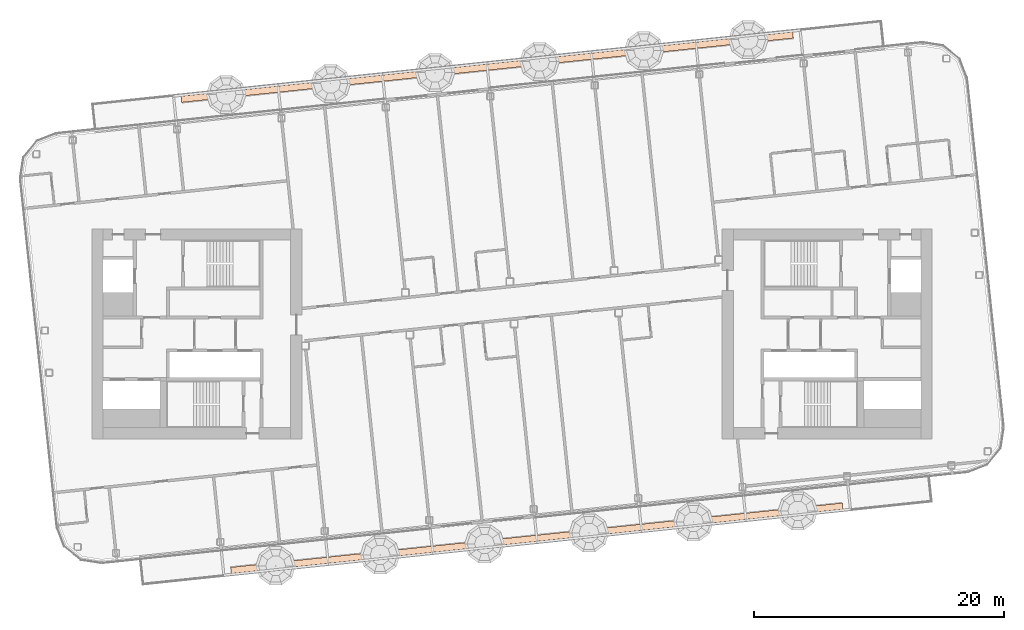
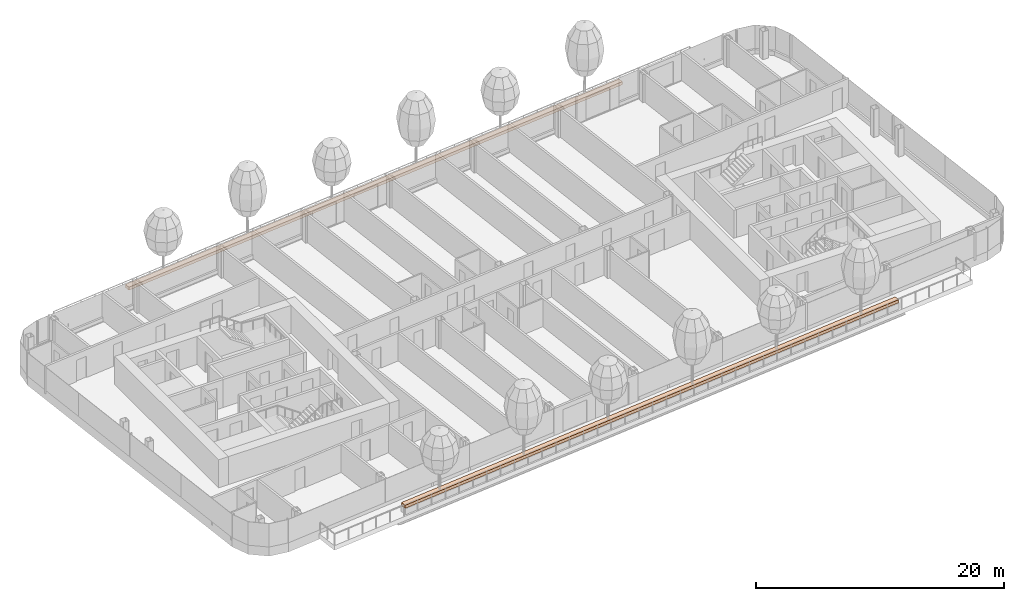
# One storey, part 27 of 29: 2 geographic elements.
"""IFC4 building model written with IfcOpenShell, lengths in metres."""

import ifcopenshell
import ifcopenshell.guid

model = None  # the IFC model being written
_history = None  # IfcOwnerHistory: only IFC2X3 demands one
_inside = {}  # id of a spatial element -> (the spatial element, [elements in it])
_under = {}  # id of a project, library or spatial element -> (it, [spatial elements below it])
_declared = {}  # id of a project -> (the project, [libraries it declares])
_typed = {}  # id of a type object -> (the type object, [elements of that type])
_made_of = {}  # id of a material, layer set ... -> (it, [elements and type objects made of it])


def new_model(schema):
    """Start an empty IFC model of exactly this schema.

    Asked for "IFC4X3", IfcOpenShell would pick the latest addendum, in which some entities
    have other attributes; the version numbers below select the first issue.
    IFC2X3 requires an IfcOwnerHistory on every rooted entity: one is made here for all.
    """
    global model, _history
    if schema == "IFC4X3":
        model = ifcopenshell.file(schema_version=(4, 3, 0, 0))
    else:
        model = ifcopenshell.file(schema=schema)
    _inside.clear()
    _under.clear()
    _declared.clear()
    _typed.clear()
    _made_of.clear()
    _history = None
    if model.schema == "IFC2X3":
        org = make("IfcOrganization", Name="unknown")
        user = make(
            "IfcPersonAndOrganization",
            ThePerson=make("IfcPerson", FamilyName="unknown"),
            TheOrganization=org,
        )
        app = make(
            "IfcApplication",
            ApplicationDeveloper=org,
            Version="unknown",
            ApplicationFullName="unknown",
            ApplicationIdentifier="unknown",
        )
        _history = make(
            "IfcOwnerHistory",
            OwningUser=user,
            OwningApplication=app,
            ChangeAction="ADDED",
            CreationDate=0,
        )
    return model


def make(cls, **values):
    """One entity of the class cls with the attributes given. An attribute that is None is left unset."""
    return model.create_entity(
        cls, **{name: value for name, value in values.items() if value is not None}
    )


def rooted(cls, **values):
    """An entity with a GlobalId (a new one), such as an element, a storey or a relation."""
    return make(cls, GlobalId=ifcopenshell.guid.new(), OwnerHistory=_history, **values)


def si_unit(unit_type, name, prefix=None):
    """IfcSIUnit, for example si_unit("LENGTHUNIT", "METRE", prefix="MILLI")."""
    return make("IfcSIUnit", UnitType=unit_type, Prefix=prefix, Name=name)


def assignment(units):
    """IfcUnitAssignment: the units of a project."""
    return None if units is None else make("IfcUnitAssignment", Units=units)


def point(xyz):
    """IfcCartesianPoint."""
    return None if xyz is None else make("IfcCartesianPoint", Coordinates=xyz)


def direction(xyz):
    """IfcDirection."""
    return None if xyz is None else make("IfcDirection", DirectionRatios=xyz)


def frame(location, z_axis=None, x_axis=None):
    """IfcAxis2Placement3D, a coordinate frame: its origin and axes. An axis left out is left unset."""
    return make(
        "IfcAxis2Placement3D",
        Location=point(location),
        Axis=direction(z_axis),
        RefDirection=direction(x_axis),
    )


def frame_2d(location, x_axis=None):
    """IfcAxis2Placement2D, a coordinate frame in the plane: its origin and x axis."""
    return make(
        "IfcAxis2Placement2D", Location=point(location), RefDirection=direction(x_axis)
    )


def origin():
    """The frame at (0, 0, 0) with its axes left unset."""
    return frame((0.0, 0.0, 0.0))


def origin_2d():
    """The frame at (0, 0) in the plane with its x axis left unset."""
    return frame_2d((0.0, 0.0))


def place(relative_to, where):
    """IfcLocalPlacement: puts the frame where relative to a parent placement (None: the world)."""
    return make(
        "IfcLocalPlacement", PlacementRelTo=relative_to, RelativePlacement=where
    )


def context(
    kind, dimensions, precision=None, world=None, true_north=None, identifier=None
):
    """IfcGeometricRepresentationContext, for example the 3D "Model" context."""
    return make(
        "IfcGeometricRepresentationContext",
        ContextIdentifier=identifier,
        ContextType=kind,
        CoordinateSpaceDimension=dimensions,
        Precision=precision,
        WorldCoordinateSystem=world,
        TrueNorth=true_north,
    )


def subcontext(parent, identifier, kind, view, scale=None):
    """IfcGeometricRepresentationSubContext, for example "Body" below "Model"."""
    return make(
        "IfcGeometricRepresentationSubContext",
        ContextIdentifier=identifier,
        ContextType=kind,
        ParentContext=parent,
        TargetScale=scale,
        TargetView=view,
    )


def project(units=None, contexts=None):
    """IfcProject with its units and contexts."""
    return rooted(
        "IfcProject",
        Name="project",
        RepresentationContexts=contexts,
        UnitsInContext=assignment(units),
    )


def spatial(cls, under=None, at=None, **own):
    """A site, building, storey or space (cls), placed at a placement, below another one or the project."""
    s = rooted(cls, ObjectPlacement=at, **own)
    if under is not None:
        _under.setdefault(under.id(), (under, []))[1].append(s)
    return s


def profile(cls, at=None, kind="AREA", **sizes):
    """A parametric profile (cls). Its sizes go by their IFC names, for example OverallWidth=200.0."""
    return make(cls, ProfileType=kind, Position=at, **sizes)


def rectangle(**sizes):
    """IfcRectangleProfileDef."""
    return profile("IfcRectangleProfileDef", **sizes)


def extrude(swept, where, along, depth):
    """IfcExtrudedAreaSolid: the profile swept, set in the frame where, extruded along a direction by depth."""
    return make(
        "IfcExtrudedAreaSolid",
        SweptArea=swept,
        Position=where,
        ExtrudedDirection=direction(along),
        Depth=depth,
    )


def shape(context_of_items, identifier, shape_type, items):
    """IfcShapeRepresentation: the items that make up one representation, for example the "Body"."""
    return make(
        "IfcShapeRepresentation",
        ContextOfItems=context_of_items,
        RepresentationIdentifier=identifier,
        RepresentationType=shape_type,
        Items=items,
    )


def material(Name=None, Category=None):
    """IfcMaterial."""
    return make("IfcMaterial", Name=Name, Category=Category)


def made_of(thing, what):
    """Note that an element or type object is made of a material, layer set ...; save() writes the relation."""
    if what is not None:
        _made_of.setdefault(what.id(), (what, []))[1].append(thing)
    return thing


def type_object(cls, material=None, **own):
    """A type object (cls), such as IfcWallType, which elements share."""
    return made_of(rooted(cls, **own), material)


def element(
    cls,
    number,
    at=None,
    inside=None,
    cuts=None,
    type_object=None,
    material=None,
    context=None,
    identifier="Body",
    shape_type=None,
    held_by="IfcProductDefinitionShape",
    body=None,
    shapes=None,
    **own,
):
    """One element of the class cls, such as IfcWall. Its Tag is "e" and its number.

    at: its placement. inside: the storey or other place that contains it. cuts: it is an
    opening in that element (IfcRelVoidsElement). A single representation is given by context,
    identifier, shape_type and body (its items); several are given by shapes. held_by: the class
    of the entity that holds the representations. save() writes the other relations.
    """
    e = rooted(cls, Tag="e%d" % number, ObjectPlacement=at, **own)
    if body is not None:
        shapes = [shape(context, identifier, shape_type, body)]
    if shapes is not None:
        e.Representation = make(held_by, Representations=shapes)
    if inside is not None:
        _inside.setdefault(inside.id(), (inside, []))[1].append(e)
    if cuts is not None:
        rooted(
            "IfcRelVoidsElement", RelatingBuildingElement=cuts, RelatedOpeningElement=e
        )
    if type_object is not None:
        _typed.setdefault(type_object.id(), (type_object, []))[1].append(e)
    return made_of(e, material)


def aggregate(whole, parts):
    """IfcRelAggregates: a whole, such as a stair, and the parts it consists of."""
    return rooted("IfcRelAggregates", RelatingObject=whole, RelatedObjects=parts)


def save(model, path):
    """Write the relations noted so far, then the file.

    IfcRelAggregates (storeys below a building ...), IfcRelContainedInSpatialStructure (elements
    in a storey), IfcRelDefinesByType, IfcRelAssociatesMaterial and IfcRelDeclares: one each for
    every whole, place, type object, material and project.
    """
    for whole, parts in _under.values():
        aggregate(whole, parts)
    for where, things in _inside.values():
        rooted(
            "IfcRelContainedInSpatialStructure",
            RelatedElements=things,
            RelatingStructure=where,
        )
    for kind, things in _typed.values():
        rooted("IfcRelDefinesByType", RelatedObjects=things, RelatingType=kind)
    for what, things in _made_of.values():
        rooted("IfcRelAssociatesMaterial", RelatedObjects=things, RelatingMaterial=what)
    for by, libraries in _declared.values():
        rooted("IfcRelDeclares", RelatingContext=by, RelatedDefinitions=libraries)
    model.write(path)


model = new_model("IFC4")

# Units and contexts
model_context = context("Model", 3, precision=1e-05, world=origin(), true_north=direction((0.0, 1.0)))
body_context = subcontext(model_context, "Body", "Model", "MODEL_VIEW")
ifc_project = project(units=[si_unit("LENGTHUNIT", "METRE"), si_unit("AREAUNIT", "SQUARE_METRE"), si_unit("VOLUMEUNIT", "CUBIC_METRE"), si_unit("PLANEANGLEUNIT", "RADIAN"), si_unit("MASSUNIT", "GRAM", prefix="KILO")], contexts=[model_context])

# Site, building, storey
site_placement = place(None, origin())
site = spatial("IfcSite", under=ifc_project, at=site_placement, CompositionType="ELEMENT")
building_placement = place(site_placement, origin())
building = spatial("IfcBuilding", under=site, at=building_placement, Name="Hakoniwa Tower and Hamabe Station Hall", CompositionType="ELEMENT")
storey_placement = place(building_placement, frame((0.0, 0.0, 258.199951171875)))
storey = spatial("IfcBuildingStorey", under=building, at=storey_placement, Name="L73", CompositionType="ELEMENT", Elevation=258.199951171875)

# Geographic elements
ifc_material = material(Name="Shrub planting")
geographic_element_type = type_object("IfcGeographicElementType", Name="Shrub planting bed 500x300", PredefinedType="USERDEFINED", material=ifc_material)
for number, where, z_axis, x_axis, name in (
    (1, (-1.980712890625, 21.34619140625, 0.60009765625), (0.0, 0.0, 1.0), (0.994521895368, 0.104528463268, 0.0), "Shrub planting bed 500x300"),
    (2, (1.980712890625, -16.34619140625, 0.60009765625), (0.0, 0.0, 1.0), (0.994521895368, 0.104528463268, 0.0), "Shrub planting bed 500x300"),
):
    element("IfcGeographicElement", number, at=place(storey_placement, frame(where, z_axis=z_axis, x_axis=x_axis)), inside=storey, type_object=geographic_element_type, Name=name, ObjectType="PLANTING", PredefinedType="USERDEFINED", context=body_context, shape_type="SweptSolid", body=[
        extrude(rectangle(XDim=49.199951171875, YDim=0.5, at=origin_2d()), origin(), (0.0, 0.0, 1.0), 0.300048828125),
    ])

save(model, "model.ifc")
